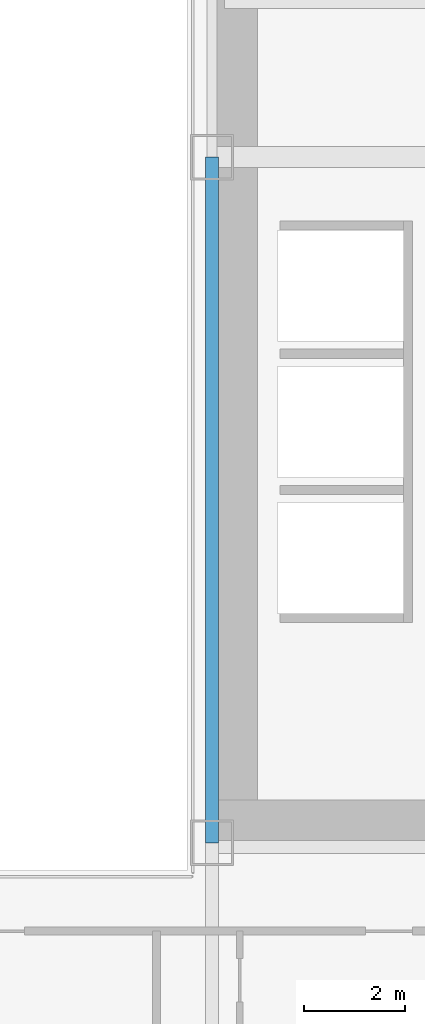
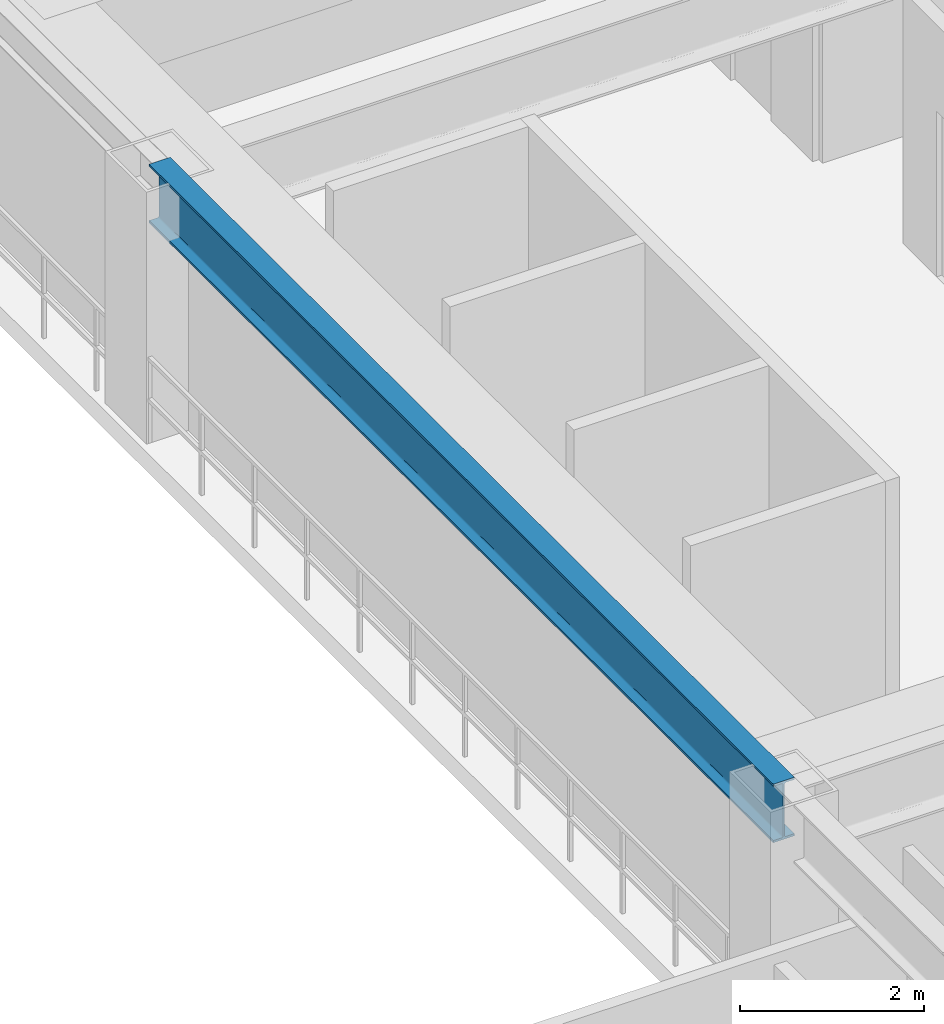
# One storey, part 12 of 35: 1 beam.
"""IFC4 building model written with IfcOpenShell, lengths in metres."""

from ifc_helpers import new_model, si_unit, direction, frame, origin, origin_2d, place, context, subcontext, project, spatial, i_section, extrude, source, transform, mapped, material, material_profile, profile_set, type_object, element, save


model = new_model("IFC4")

# Units and contexts
model_context = context("Model", 3, precision=1e-05, world=origin(), true_north=direction((0.0, 1.0)))
body_context = subcontext(model_context, "Body", "Model", "MODEL_VIEW")
ifc_project = project(units=[si_unit("LENGTHUNIT", "METRE"), si_unit("AREAUNIT", "SQUARE_METRE"), si_unit("VOLUMEUNIT", "CUBIC_METRE"), si_unit("PLANEANGLEUNIT", "RADIAN"), si_unit("MASSUNIT", "GRAM", prefix="KILO")], contexts=[model_context])

# Site, building, storey
site_placement = place(None, origin())
site = spatial("IfcSite", under=ifc_project, at=site_placement, CompositionType="ELEMENT")
building_placement = place(site_placement, origin())
building = spatial("IfcBuilding", under=site, at=building_placement, Name="Ocotamira Hotel", CompositionType="ELEMENT")
storey_placement = place(building_placement, frame((0.0, 0.0, 49.199951171875)))
storey = spatial("IfcBuildingStorey", under=building, at=storey_placement, Name="L11", CompositionType="ELEMENT", Elevation=49.199951171875)

# Beam
ifc_material = material(Name="Steel ASTM A992 Grade 50", Category="steel")
ifc_material_profile = material_profile(ifc_material, i_section(OverallWidth=0.26611328125, OverallDepth=0.779052734375, WebThickness=0.0166015625, FlangeThickness=0.030029296875, FilletRadius=0.01806640625, at=origin_2d()), Name="W30X148")
ifc_profile_set = profile_set([ifc_material_profile], Name="Steel ASTM A992 Grade 50")
beam_type = type_object("IfcBeamType", Name="BM-GIRD-W30X148", PredefinedType="BEAM", material=ifc_profile_set)
shared_shape = source(origin(), body_context, "Body", "SweptSolid", [
    extrude(i_section(OverallWidth=0.26611328125, OverallDepth=0.779052734375, WebThickness=0.0166015625, FlangeThickness=0.030029296875, FilletRadius=0.01806640625, at=origin_2d()), origin(), (0.0, 0.0, 1.0), 13.599853515625),
])
beam_placement = place(storey_placement, frame((40.5, 14.550048828125, 2.96044921875), z_axis=(0.0, 1.0, 0.0), x_axis=(-1.0, 0.0, 0.0)))
element("IfcBeam", 1, at=beam_placement, inside=storey, type_object=beam_type, Name="L11 Beam X40.5 Y14.55-28.15", PredefinedType="BEAM", context=body_context, shape_type="MappedRepresentation", body=[
    mapped(shared_shape, transform((0.0, 0.0, 0.0), scale=1.0)),
])

save(model, "model.ifc")
